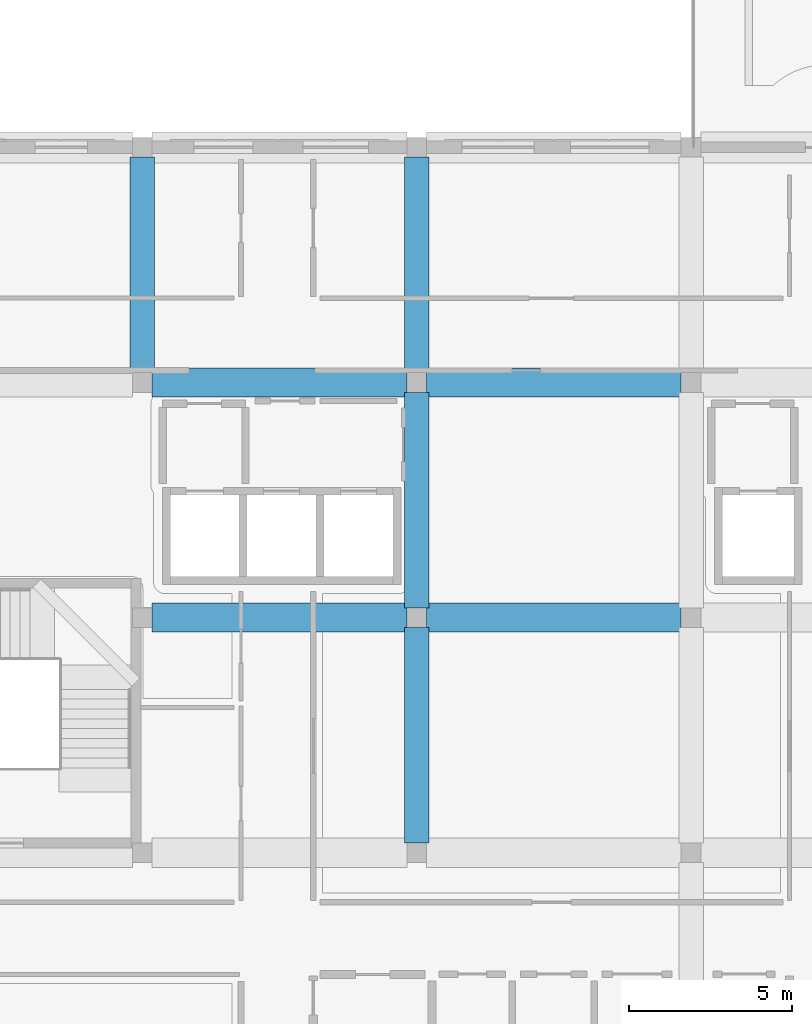
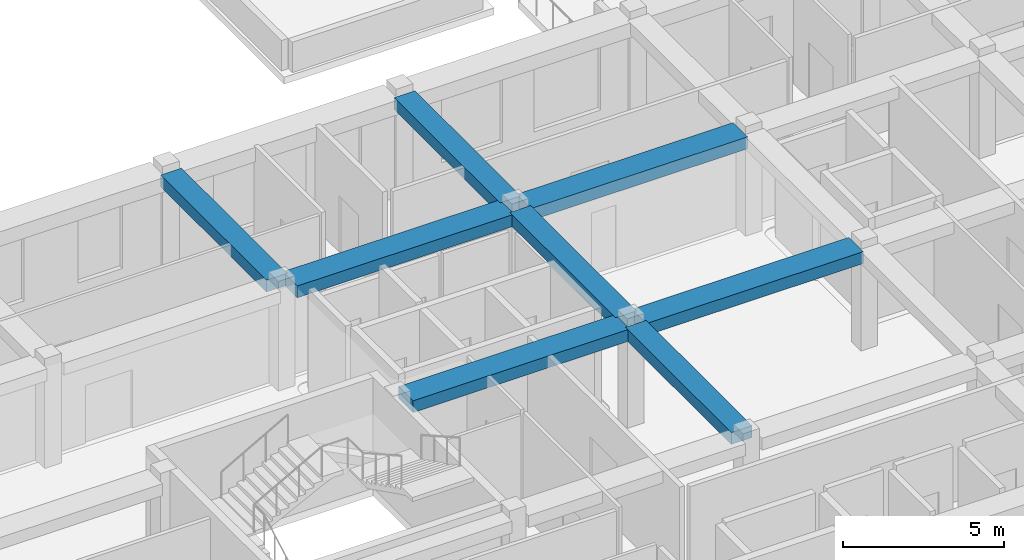
# One storey, part 11 of 48: 8 beams.
"""IFC4 building model written with IfcOpenShell, lengths in metres."""

from ifc_helpers import new_model, si_unit, derived_unit, direction, frame, origin, origin_2d, place, context, subcontext, project, spatial, rectangle, extrude, material, material_profile, profile_set, type_object, element, save


model = new_model("IFC4")

# Units and contexts
model_context = context("Model", 3, precision=1e-05, world=origin(), true_north=direction((0.0, 1.0)))
body_context = subcontext(model_context, "Body", "Model", "MODEL_VIEW")
ifc_project = project(units=[si_unit("LENGTHUNIT", "METRE"), si_unit("AREAUNIT", "SQUARE_METRE"), si_unit("VOLUMEUNIT", "CUBIC_METRE"), si_unit("PLANEANGLEUNIT", "RADIAN"), si_unit("MASSUNIT", "GRAM", prefix="KILO"), derived_unit("THERMALTRANSMITTANCEUNIT", [(si_unit("POWERUNIT", "WATT"), 1), (si_unit("LENGTHUNIT", "METRE"), -2), (si_unit("THERMODYNAMICTEMPERATUREUNIT", "KELVIN"), -1)])], contexts=[model_context])

# Site, building, storey
site_placement = place(None, origin())
site = spatial("IfcSite", under=ifc_project, at=site_placement, CompositionType="ELEMENT")
building_placement = place(site_placement, origin())
building = spatial("IfcBuilding", under=site, at=building_placement, Name="Veybourne Emporium", CompositionType="ELEMENT")
storey_placement = place(building_placement, frame((0.0, 0.0, 27.89990234375)))
storey = spatial("IfcBuildingStorey", under=building, at=storey_placement, Name="L06", CompositionType="ELEMENT", Elevation=27.89990234375)

# Beams
ifc_material = material(Name="Concrete C32/40", Category="concrete")
ifc_material_profile_1 = material_profile(ifc_material, rectangle(XDim=0.89990234375, YDim=0.449951171875, at=origin_2d()), Name="RC 900x450")
ifc_profile_set_1 = profile_set([ifc_material_profile_1], Name="Concrete C32/40")
beam_type_1 = type_object("IfcBeamType", Name="RCBeam_BB-03", PredefinedType="BEAM", material=ifc_profile_set_1)
for number, where, z_axis, x_axis, name in (
    (1, (17.10009765625, 36.0, 3.68505859375), (1.0, 0.0, 0.0), (0.0, 1.0, 0.0), "L06 X-grid beam BB-03 (2,5)"),
    (2, (17.10009765625, 43.199951171875, 3.68505859375), (1.0, 0.0, 0.0), (0.0, 1.0, 0.0), "L06 X-grid beam BB-03 (2,6)"),
):
    element("IfcBeam", number, at=place(storey_placement, frame(where, z_axis=z_axis, x_axis=x_axis)), inside=storey, type_object=beam_type_1, Name=name, PredefinedType="BEAM", context=body_context, shape_type="SweptSolid", body=[
        extrude(rectangle(XDim=0.89990234375, YDim=0.449951171875, at=origin_2d()), origin(), (0.0, 0.0, 1.0), 7.7998046875),
    ])
for number, where, z_axis, x_axis, name in (
    (3, (25.5, 36.0, 3.68505859375), (1.0, 0.0, 0.0), (0.0, 1.0, 0.0), "L06 X-grid beam BB-03 (3,5)"),
    (4, (25.5, 43.199951171875, 3.68505859375), (1.0, 0.0, 0.0), (0.0, 1.0, 0.0), "L06 X-grid beam BB-03 (3,6)"),
):
    element("IfcBeam", number, at=place(storey_placement, frame(where, z_axis=z_axis, x_axis=x_axis)), inside=storey, type_object=beam_type_1, Name=name, PredefinedType="BEAM", context=body_context, shape_type="SweptSolid", body=[
        extrude(rectangle(XDim=0.89990234375, YDim=0.449951171875, at=origin_2d()), origin(), (0.0, 0.0, 1.0), 7.800048828125),
    ])
ifc_material_profile_2 = material_profile(ifc_material, rectangle(XDim=0.75, YDim=0.449951171875, at=origin_2d()), Name="RC 750x450")
ifc_profile_set_2 = profile_set([ifc_material_profile_2], Name="Concrete C32/40")
beam_type_2 = type_object("IfcBeamType", Name="RCBeam_BB-04", PredefinedType="BEAM", material=ifc_profile_set_2)
beam_1_placement = place(storey_placement, frame((16.800048828125, 43.5, 3.68505859375), z_axis=(0.0, 1.0, 0.0), x_axis=(-1.0, 0.0, 0.0)))
element("IfcBeam", 5, at=beam_1_placement, inside=storey, type_object=beam_type_2, Name="L06 Y-grid beam BB-04 (2,6)", PredefinedType="BEAM", context=body_context, shape_type="SweptSolid", body=[
    extrude(rectangle(XDim=0.75, YDim=0.449951171875, at=origin_2d()), origin(), (0.0, 0.0, 1.0), 6.60009765625),
])
for number, where, z_axis, x_axis, name in (
    (6, (25.199951171875, 29.10009765625, 3.68505859375), (0.0, 1.0, 0.0), (-1.0, 0.0, 0.0), "L06 Y-grid beam BB-04 (3,4)"),
    (7, (25.199951171875, 36.300048828125, 3.68505859375), (0.0, 1.0, 0.0), (-1.0, 0.0, 0.0), "L06 Y-grid beam BB-04 (3,5)"),
):
    element("IfcBeam", number, at=place(storey_placement, frame(where, z_axis=z_axis, x_axis=x_axis)), inside=storey, type_object=beam_type_2, Name=name, PredefinedType="BEAM", context=body_context, shape_type="SweptSolid", body=[
        extrude(rectangle(XDim=0.75, YDim=0.449951171875, at=origin_2d()), origin(), (0.0, 0.0, 1.0), 6.599853515625),
    ])
beam_2_placement = place(storey_placement, frame((25.199951171875, 43.5, 3.68505859375), z_axis=(0.0, 1.0, 0.0), x_axis=(-1.0, 0.0, 0.0)))
element("IfcBeam", 8, at=beam_2_placement, inside=storey, type_object=beam_type_2, Name="L06 Y-grid beam BB-04 (3,6)", PredefinedType="BEAM", context=body_context, shape_type="SweptSolid", body=[
    extrude(rectangle(XDim=0.75, YDim=0.449951171875, at=origin_2d()), origin(), (0.0, 0.0, 1.0), 6.60009765625),
])

save(model, "model.ifc")
